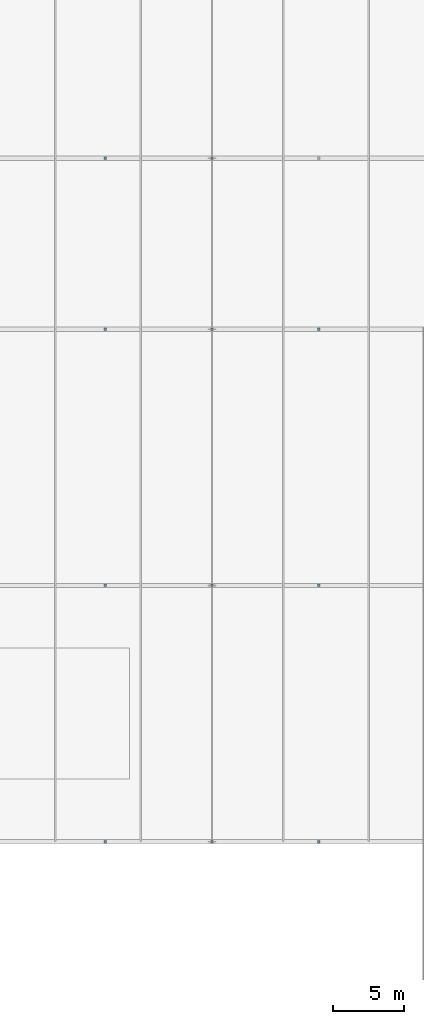
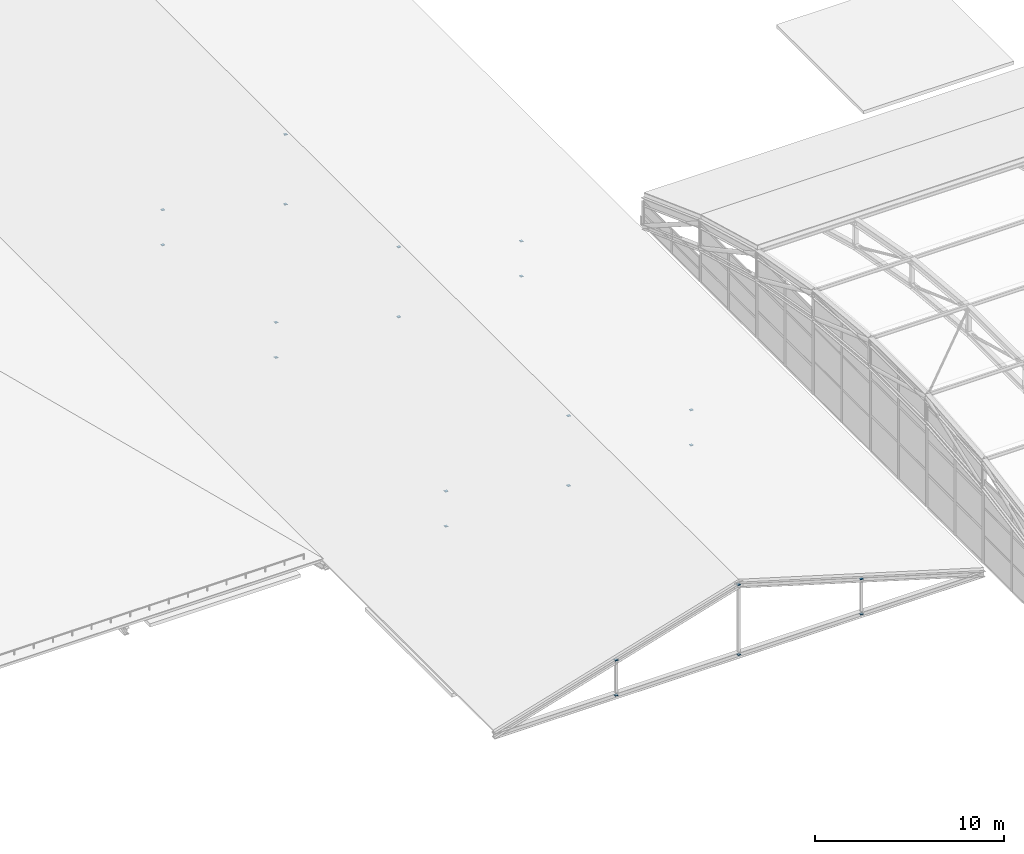
# One storey, part 197 of 204: 22 discrete accessories.
"""IFC4 building model written with IfcOpenShell, lengths in metres."""

from ifc_helpers import new_model, si_unit, direction, frame, origin, origin_2d, place, context, subcontext, project, spatial, rectangle, extrude, material, layer, layer_set, type_object, element, save


model = new_model("IFC4")

# Units and contexts
model_context = context("Model", 3, precision=1e-05, world=origin(), true_north=direction((0.0, 1.0)))
body_context = subcontext(model_context, "Body", "Model", "MODEL_VIEW")
ifc_project = project(units=[si_unit("LENGTHUNIT", "METRE"), si_unit("AREAUNIT", "SQUARE_METRE"), si_unit("VOLUMEUNIT", "CUBIC_METRE"), si_unit("PLANEANGLEUNIT", "RADIAN"), si_unit("MASSUNIT", "GRAM", prefix="KILO")], contexts=[model_context])

# Site, building, storey
site_placement = place(None, origin())
site = spatial("IfcSite", under=ifc_project, at=site_placement, CompositionType="ELEMENT")
building_placement = place(site_placement, origin())
building = spatial("IfcBuilding", under=site, at=building_placement, Name="Zilviju Railside Exhibition Hall", CompositionType="ELEMENT")
storey_placement = place(building_placement, frame((0.0, 0.0, 21.0)))
storey = spatial("IfcBuildingStorey", under=building, at=storey_placement, Name="RF", CompositionType="ELEMENT", Elevation=21.0)

# Discrete accessories
ifc_material = material(Name="Steel S355ML", Category="steel")
ifc_layer = layer(ifc_material, 0.02001953125)
ifc_layer_set = layer_set([ifc_layer], Name="Steel S355ML")
discrete_accessory_type = type_object("IfcDiscreteAccessoryType", Name="ACC-CAP-20", PredefinedType="BRACKET", material=ifc_layer_set)
for number, where, z_axis, x_axis, name in (
    (1, (63.0, 18.0, -8.419921875), (0.0, 0.0, 1.0), (1.0, 0.0, 0.0), "SHS Post End Seal Cap BOT 1"),
    (2, (63.0, 18.0, -3.89990234375), (0.0, 0.0, 1.0), (1.0, 0.0, 0.0), "SHS Post End Seal Cap TOP 2"),
    (3, (55.5, 18.0, -8.419921875), (0.0, 0.0, 1.0), (1.0, 0.0, 0.0), "SHS Post End Seal Cap BOT 3"),
    (4, (55.5, 18.0, -6.14990234375), (0.0, 0.0, 1.0), (1.0, 0.0, 0.0), "SHS Post End Seal Cap TOP 4"),
    (5, (70.5, 18.0, -8.419921875), (0.0, 0.0, 1.0), (1.0, 0.0, 0.0), "SHS Post End Seal Cap BOT 5"),
    (6, (70.5, 18.0, -6.14990234375), (0.0, 0.0, 1.0), (1.0, 0.0, 0.0), "SHS Post End Seal Cap TOP 6"),
    (7, (63.0, 36.0, -8.419921875), (0.0, 0.0, 1.0), (1.0, 0.0, 0.0), "SHS Post End Seal Cap BOT 7"),
    (8, (63.0, 36.0, -3.89990234375), (0.0, 0.0, 1.0), (1.0, 0.0, 0.0), "SHS Post End Seal Cap TOP 8"),
    (9, (55.5, 36.0, -8.419921875), (0.0, 0.0, 1.0), (1.0, 0.0, 0.0), "SHS Post End Seal Cap BOT 9"),
    (10, (55.5, 36.0, -6.14990234375), (0.0, 0.0, 1.0), (1.0, 0.0, 0.0), "SHS Post End Seal Cap TOP 10"),
    (11, (70.5, 36.0, -8.419921875), (0.0, 0.0, 1.0), (1.0, 0.0, 0.0), "SHS Post End Seal Cap BOT 11"),
    (12, (70.5, 36.0, -6.14990234375), (0.0, 0.0, 1.0), (1.0, 0.0, 0.0), "SHS Post End Seal Cap TOP 12"),
    (13, (63.0, 54.0, -8.419921875), (0.0, 0.0, 1.0), (1.0, 0.0, 0.0), "SHS Post End Seal Cap BOT 13"),
    (14, (63.0, 54.0, -3.89990234375), (0.0, 0.0, 1.0), (1.0, 0.0, 0.0), "SHS Post End Seal Cap TOP 14"),
    (15, (55.5, 54.0, -8.419921875), (0.0, 0.0, 1.0), (1.0, 0.0, 0.0), "SHS Post End Seal Cap BOT 15"),
    (16, (55.5, 54.0, -6.14990234375), (0.0, 0.0, 1.0), (1.0, 0.0, 0.0), "SHS Post End Seal Cap TOP 16"),
    (17, (70.5, 54.0, -8.419921875), (0.0, 0.0, 1.0), (1.0, 0.0, 0.0), "SHS Post End Seal Cap BOT 17"),
    (18, (70.5, 54.0, -6.14990234375), (0.0, 0.0, 1.0), (1.0, 0.0, 0.0), "SHS Post End Seal Cap TOP 18"),
    (19, (63.0, 66.0, -8.419921875), (0.0, 0.0, 1.0), (1.0, 0.0, 0.0), "SHS Post End Seal Cap BOT 19"),
    (20, (63.0, 66.0, -3.89990234375), (0.0, 0.0, 1.0), (1.0, 0.0, 0.0), "SHS Post End Seal Cap TOP 20"),
    (21, (55.5, 66.0, -8.419921875), (0.0, 0.0, 1.0), (1.0, 0.0, 0.0), "SHS Post End Seal Cap BOT 21"),
    (22, (55.5, 66.0, -6.14990234375), (0.0, 0.0, 1.0), (1.0, 0.0, 0.0), "SHS Post End Seal Cap TOP 22"),
):
    element("IfcDiscreteAccessory", number, at=place(storey_placement, frame(where, z_axis=z_axis, x_axis=x_axis)), inside=storey, type_object=discrete_accessory_type, Name=name, PredefinedType="BRACKET", context=body_context, shape_type="SweptSolid", body=[
        extrude(rectangle(XDim=0.169921875, YDim=0.169921875, at=origin_2d()), origin(), (0.0, 0.0, 1.0), 0.02001953125),
    ])

save(model, "model.ifc")
